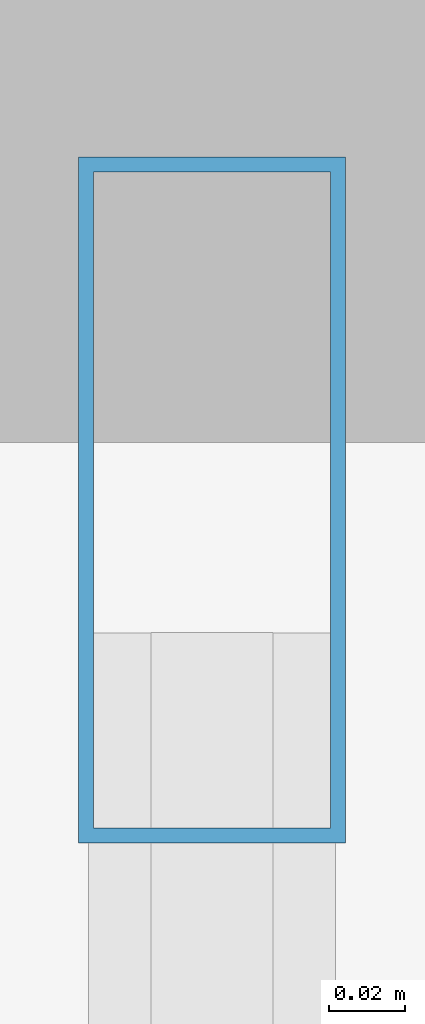
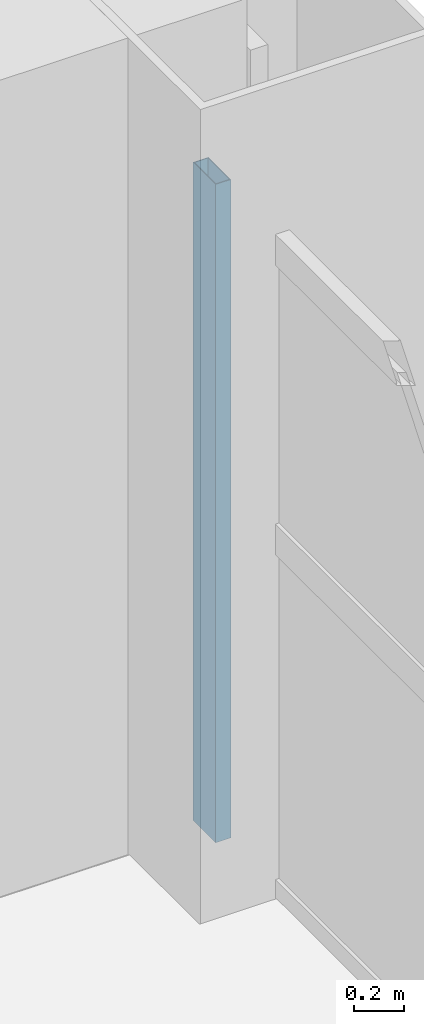
# One storey, part 10 of 16: 1 member, 1 element without a shape of its own.
"""IFC4 building model written with IfcOpenShell, lengths in metres."""

from ifc_helpers import new_model, si_unit, direction, frame, origin, origin_2d, place, context, subcontext, project, spatial, hollow_rectangle, extrude, material, layer, layer_set, material_profile, profile_set, type_object, element, aggregate, save


model = new_model("IFC4")

# Units and contexts
model_context = context("Model", 3, precision=1e-05, world=origin(), true_north=direction((0.0, 1.0)))
body_context = subcontext(model_context, "Body", "Model", "MODEL_VIEW")
ifc_project = project(units=[si_unit("LENGTHUNIT", "METRE"), si_unit("AREAUNIT", "SQUARE_METRE"), si_unit("VOLUMEUNIT", "CUBIC_METRE"), si_unit("PLANEANGLEUNIT", "RADIAN"), si_unit("MASSUNIT", "GRAM", prefix="KILO")], contexts=[model_context])

# Site, building, storey
site_placement = place(None, origin())
site = spatial("IfcSite", under=ifc_project, at=site_placement, CompositionType="ELEMENT")
building_placement = place(site_placement, origin())
building = spatial("IfcBuilding", under=site, at=building_placement, Name="Qianrong Seaharbour Tower", CompositionType="ELEMENT")
storey_placement = place(building_placement, frame((0.0, 0.0, 119.0)))
storey = spatial("IfcBuildingStorey", under=building, at=storey_placement, Name="L28", CompositionType="ELEMENT", Elevation=119.0)

# Curtain wall, member
ifc_material_1 = material(Name="Anodised aluminium 6063-T6 and laminated low-e glass", Category="aluminium")
ifc_layer = layer(ifc_material_1, 0.195068359375)
ifc_layer_set = layer_set([ifc_layer], Name="Anodised aluminium 6063-T6 and laminated low-e glass")
curtain_wall_type = type_object("IfcCurtainWallType", Name="CW-SYS-3", PredefinedType="NOTDEFINED", material=ifc_layer_set)
curtain_wall_placement = place(storey_placement, origin())
curtain_wall = element("IfcCurtainWall", 1, at=curtain_wall_placement, inside=storey, type_object=curtain_wall_type, Name="L28 Sky-Garden Wintergarden Curtain Wall EAST_WING", PredefinedType="NOTDEFINED")
ifc_material_2 = material(Name="Extruded aluminium 6063-T6", Category="aluminium")
ifc_material_profile = material_profile(ifc_material_2, hollow_rectangle(XDim=0.070068359375, YDim=0.179931640625, WallThickness=0.00390625, at=origin_2d()), Name="ALU-MUL-180x70x4")
ifc_profile_set = profile_set([ifc_material_profile], Name="Extruded aluminium 6063-T6")
member_type = type_object("IfcMemberType", Name="CW-MUL-180", PredefinedType="MULLION", material=ifc_profile_set)
member_placement = place(storey_placement, frame((63.830078125, 36.014892578125, 0.0), z_axis=(0.0, 0.0, 1.0), x_axis=(1.0, 0.0, 0.0)))
member = element("IfcMember", 2, at=member_placement, type_object=member_type, Name="CW-3 mullion 1", PredefinedType="MULLION", context=body_context, shape_type="SweptSolid", body=[
    extrude(hollow_rectangle(XDim=0.070068359375, YDim=0.179931640625, WallThickness=0.00390625, at=origin_2d()), origin(), (0.0, 0.0, 1.0), 3.22509765625),
])
aggregate(curtain_wall, [member])

save(model, "model.ifc")
